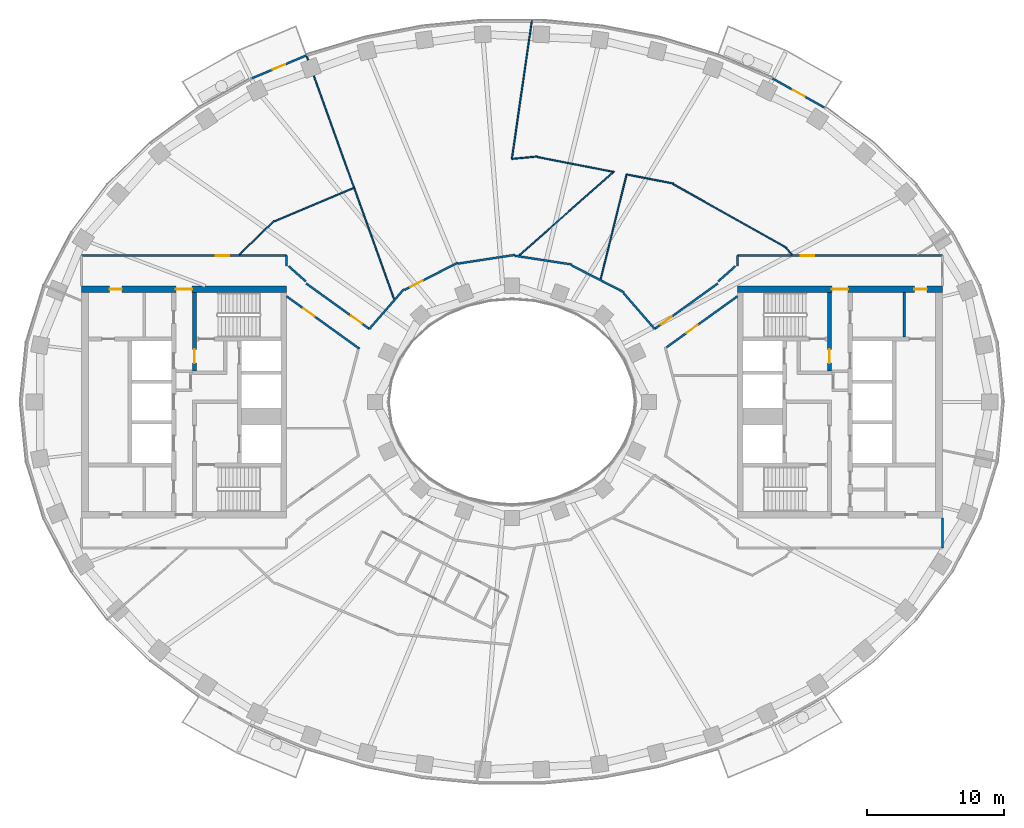
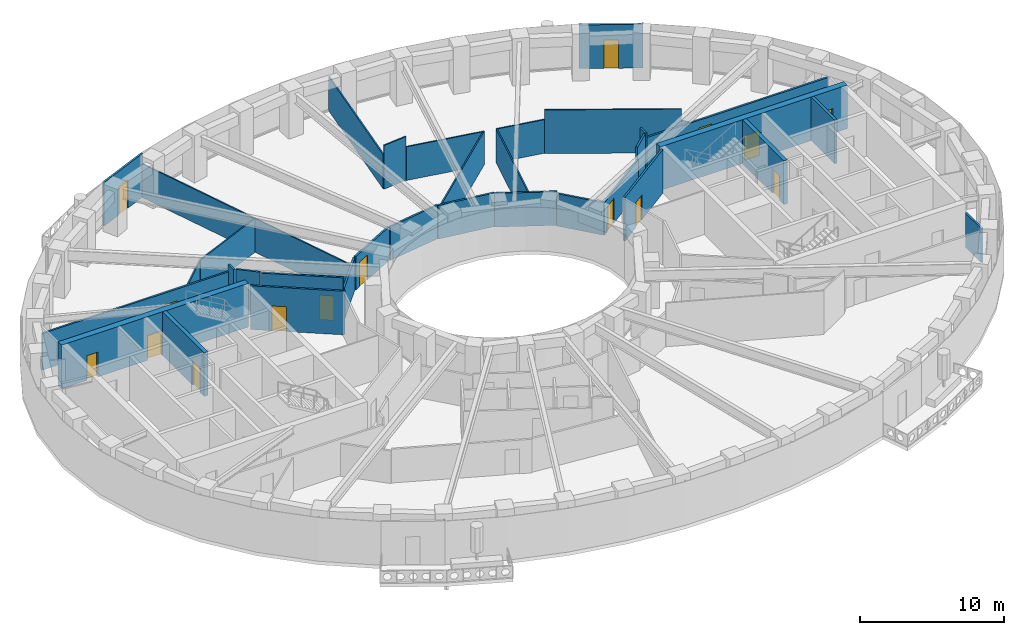
# One storey, part 6 of 15: 35 walls, 15 doors, 15 openings.
"""IFC4 building model written with IfcOpenShell, lengths in metres."""

from ifc_helpers import new_model, si_unit, direction, frame, frame_2d, origin, place, context, subcontext, project, spatial, rectangle, extrude, material, layer, layer_set, type_object, element, fill, save


model = new_model("IFC4")

# Units and contexts
model_context = context("Model", 3, precision=1e-05, world=origin(), true_north=direction((0.0, 1.0)))
body_context = subcontext(model_context, "Body", "Model", "MODEL_VIEW")
ifc_project = project(units=[si_unit("LENGTHUNIT", "METRE"), si_unit("AREAUNIT", "SQUARE_METRE"), si_unit("VOLUMEUNIT", "CUBIC_METRE"), si_unit("PLANEANGLEUNIT", "RADIAN"), si_unit("MASSUNIT", "GRAM", prefix="KILO")], contexts=[model_context])

# Site, building, storey
site_placement = place(None, origin())
site = spatial("IfcSite", under=ifc_project, at=site_placement, CompositionType="ELEMENT")
building_placement = place(site_placement, origin())
building = spatial("IfcBuilding", under=site, at=building_placement, Name="Noorbagh Ring Tower", CompositionType="ELEMENT")
storey_placement = place(building_placement, frame((0.0, 0.0, 170.0)))
storey = spatial("IfcBuildingStorey", under=building, at=storey_placement, Name="L39", CompositionType="ELEMENT", Elevation=170.0)

# Wall
ifc_material_1 = material(Name="Gypsum board on steel studs", Category="steel")
ifc_layer_1 = layer(ifc_material_1, 0.199951171875)
ifc_layer_set_1 = layer_set([ifc_layer_1], Name="Gypsum board on steel studs")
wall_type_1 = type_object("IfcWallType", Name="CORE-PARTITION-200", PredefinedType="PARTITIONING", material=ifc_layer_set_1)
wall_1_placement = place(storey_placement, frame((28.699951171875, 4.75, 0.0), z_axis=(0.0, 0.0, 1.0), x_axis=(0.0, 1.0, 0.0)))
element("IfcWall", 1, at=wall_1_placement, inside=storey, type_object=wall_type_1, Name="Core partition E", PredefinedType="PARTITIONING", context=body_context, shape_type="SweptSolid", body=[
    extrude(rectangle(XDim=3.25, YDim=0.199951171875, at=frame_2d((1.625, 0.0))), origin(), (0.0, 0.0, 1.0), 3.699951171875),
])

# Wall, opening, door
ifc_material_2 = material(Name="Concrete C60/75", Category="concrete")
ifc_layer_2 = layer(ifc_material_2, 0.300048828125)
ifc_layer_set_2 = layer_set([ifc_layer_2], Name="Concrete C60/75")
wall_type_2 = type_object("IfcWallType", Name="CORE-WALL-300-C60-75-EI240", PredefinedType="SHEAR", material=ifc_layer_set_2)
wall_2_placement = place(storey_placement, frame((-23.22998046875, 2.25, 0.0), z_axis=(0.0, 0.0, 1.0), x_axis=(0.0, 1.0, 0.0)))
wall_2 = element("IfcWall", 2, at=wall_2_placement, inside=storey, type_object=wall_type_2, Name="Core wall W", PredefinedType="SHEAR", context=body_context, shape_type="SweptSolid", body=[
    extrude(rectangle(XDim=5.75, YDim=0.300048828125, at=frame_2d((2.875, 0.0))), origin(), (0.0, 0.0, 1.0), 3.699951171875),
])
opening_1_placement = place(wall_2_placement, frame((0.60009765625, 0.0, 0.0)))
opening_1 = element("IfcOpeningElement", 3, at=opening_1_placement, cuts=wall_2, Name="Opening L39-CW09", PredefinedType="OPENING", context=body_context, shape_type="SweptSolid", body=[
    extrude(rectangle(XDim=1.0, YDim=2.10009765625, at=frame_2d((0.5, 1.050048828125))), frame((0.0, 0.16015625, 0.0), z_axis=(0.0, -1.0, 0.0), x_axis=(1.0, 0.0, 0.0)), (0.0, 0.0, 1.0), 0.320068359375),
])
ifc_material_3 = material(Name="Steel door leaf", Category="steel")
door_type_1 = type_object("IfcDoorType", Name="CORE-DOOR-DVEST", OperationType="SINGLE_SWING_LEFT", PredefinedType="DOOR", material=ifc_material_3)
door_1_placement = place(opening_1_placement, origin())
door_1 = element("IfcDoor", 4, at=door_1_placement, inside=storey, type_object=door_type_1, Name="Stair vestibule door L39-CW09", OperationType="SINGLE_SWING_LEFT", OverallHeight=2.10009765625, OverallWidth=1.0, PredefinedType="DOOR", context=body_context, shape_type="SweptSolid", body=[
    extrude(rectangle(XDim=1.0, YDim=2.10009765625, at=frame_2d((0.5, 1.050048828125))), frame((0.0, 0.02490234375, 0.0), z_axis=(0.0, -1.0, 0.0), x_axis=(1.0, 0.0, 0.0)), (0.0, 0.0, 1.0), 0.050048828125),
])
fill(opening_1, door_1)

wall_3_placement = place(storey_placement, frame((23.22998046875, 2.25, 0.0), z_axis=(0.0, 0.0, 1.0), x_axis=(0.0, 1.0, 0.0)))
wall_3 = element("IfcWall", 5, at=wall_3_placement, inside=storey, type_object=wall_type_2, Name="Core wall E", PredefinedType="SHEAR", context=body_context, shape_type="SweptSolid", body=[
    extrude(rectangle(XDim=5.75, YDim=0.300048828125, at=frame_2d((2.875, 0.0))), origin(), (0.0, 0.0, 1.0), 3.699951171875),
])
opening_2_placement = place(wall_3_placement, frame((0.60009765625, 0.0, 0.0)))
opening_2 = element("IfcOpeningElement", 6, at=opening_2_placement, cuts=wall_3, Name="Opening L39-CE10", PredefinedType="OPENING", context=body_context, shape_type="SweptSolid", body=[
    extrude(rectangle(XDim=1.0, YDim=2.10009765625, at=frame_2d((0.5, 1.050048828125))), frame((0.0, 0.16015625, 0.0), z_axis=(0.0, -1.0, 0.0), x_axis=(1.0, 0.0, 0.0)), (0.0, 0.0, 1.0), 0.320068359375),
])
door_2_placement = place(opening_2_placement, origin())
door_2 = element("IfcDoor", 7, at=door_2_placement, inside=storey, type_object=door_type_1, Name="Stair vestibule door L39-CE10", OperationType="SINGLE_SWING_RIGHT", OverallHeight=2.10009765625, OverallWidth=1.0, PredefinedType="DOOR", context=body_context, shape_type="SweptSolid", body=[
    extrude(rectangle(XDim=1.0, YDim=2.10009765625, at=frame_2d((0.5, 1.050048828125))), frame((0.0, 0.02490234375, 0.0), z_axis=(0.0, -1.0, 0.0), x_axis=(1.0, 0.0, 0.0)), (0.0, 0.0, 1.0), 0.050048828125),
])
fill(opening_2, door_2)

# Wall, openings, doors
ifc_material_4 = material(Name="Concrete C60/75", Category="concrete")
ifc_layer_3 = layer(ifc_material_4, 0.5)
ifc_layer_set_3 = layer_set([ifc_layer_3], Name="Concrete C60/75")
wall_type_3 = type_object("IfcWallType", Name="CORE-WALL-500-C60-75-EI240", PredefinedType="SHEAR", material=ifc_layer_set_3)
wall_4_placement = place(storey_placement, frame((-16.5, 8.25, 0.0), z_axis=(0.0, 0.0, 1.0), x_axis=(-1.0, 0.0, 0.0)))
wall_4 = element("IfcWall", 8, at=wall_4_placement, inside=storey, type_object=wall_type_3, Name="Core wall W", PredefinedType="SHEAR", context=body_context, shape_type="SweptSolid", body=[
    extrude(rectangle(XDim=15.0, YDim=0.5, at=frame_2d((7.5, 0.0))), origin(), (0.0, 0.0, 1.0), 3.699951171875),
])
opening_3_placement = place(wall_4_placement, frame((6.89990234375, 0.0, 0.0)))
opening_3 = element("IfcOpeningElement", 9, at=opening_3_placement, cuts=wall_4, Name="Opening L39-CW10", PredefinedType="OPENING", context=body_context, shape_type="SweptSolid", body=[
    extrude(rectangle(XDim=1.199951171875, YDim=2.10009765625, at=frame_2d((0.60009765625, 1.050048828125))), frame((0.0, 0.260009765625, 0.0), z_axis=(0.0, -1.0, 0.0), x_axis=(1.0, 0.0, 0.0)), (0.0, 0.0, 1.0), 0.52001953125),
])
opening_4_placement = place(wall_4_placement, frame((12.050048828125, 0.0, 0.0)))
opening_4 = element("IfcOpeningElement", 10, at=opening_4_placement, cuts=wall_4, Name="Opening L39-CW13", PredefinedType="OPENING", context=body_context, shape_type="SweptSolid", body=[
    extrude(rectangle(XDim=0.89990234375, YDim=2.10009765625, at=frame_2d((0.449951171875, 1.050048828125))), frame((0.0, 0.260009765625, 0.0), z_axis=(0.0, -1.0, 0.0), x_axis=(1.0, 0.0, 0.0)), (0.0, 0.0, 1.0), 0.52001953125),
])
ifc_material_5 = material(Name="Steel door leaf", Category="steel")
door_type_2 = type_object("IfcDoorType", Name="CORE-DOOR-DROOM", OperationType="SINGLE_SWING_LEFT", PredefinedType="DOOR", material=ifc_material_5)
door_3_placement = place(opening_4_placement, origin())
door_3 = element("IfcDoor", 11, at=door_3_placement, inside=storey, type_object=door_type_2, Name="Core room door L39-CW13", OperationType="SINGLE_SWING_RIGHT", OverallHeight=2.10009765625, OverallWidth=0.89990234375, PredefinedType="DOOR", context=body_context, shape_type="SweptSolid", body=[
    extrude(rectangle(XDim=0.89990234375, YDim=2.10009765625, at=frame_2d((0.449951171875, 1.050048828125))), frame((0.0, 0.02490234375, 0.0), z_axis=(0.0, -1.0, 0.0), x_axis=(1.0, 0.0, 0.0)), (0.0, 0.0, 1.0), 0.050048828125),
])
fill(opening_4, door_3)
ifc_material_6 = material(Name="Steel door leaf", Category="steel")
door_type_3 = type_object("IfcDoorType", Name="CORE-DOOR-PORT", OperationType="DOUBLE_DOOR_DOUBLE_SWING", PredefinedType="DOOR", material=ifc_material_6)
door_4_placement = place(opening_3_placement, origin())
door_4 = element("IfcDoor", 12, at=door_4_placement, inside=storey, type_object=door_type_3, Name="Core entrance door L39-CW10", OperationType="DOUBLE_DOOR_DOUBLE_SWING", OverallHeight=2.10009765625, OverallWidth=1.199951171875, PredefinedType="DOOR", context=body_context, shape_type="SweptSolid", body=[
    extrude(rectangle(XDim=1.199951171875, YDim=2.10009765625, at=frame_2d((0.60009765625, 1.050048828125))), frame((0.0, 0.02490234375, 0.0), z_axis=(0.0, -1.0, 0.0), x_axis=(1.0, 0.0, 0.0)), (0.0, 0.0, 1.0), 0.050048828125),
])
fill(opening_3, door_4)

wall_5_placement = place(storey_placement, frame((16.5, 8.25, 0.0), z_axis=(0.0, 0.0, 1.0), x_axis=(1.0, 0.0, 0.0)))
wall_5 = element("IfcWall", 13, at=wall_5_placement, inside=storey, type_object=wall_type_3, Name="Core wall E", PredefinedType="SHEAR", context=body_context, shape_type="SweptSolid", body=[
    extrude(rectangle(XDim=15.0, YDim=0.5, at=frame_2d((7.5, 0.0))), origin(), (0.0, 0.0, 1.0), 3.699951171875),
])
opening_5_placement = place(wall_5_placement, frame((6.89990234375, 0.0, 0.0)))
opening_5 = element("IfcOpeningElement", 14, at=opening_5_placement, cuts=wall_5, Name="Opening L39-CE11", PredefinedType="OPENING", context=body_context, shape_type="SweptSolid", body=[
    extrude(rectangle(XDim=1.199951171875, YDim=2.10009765625, at=frame_2d((0.60009765625, 1.050048828125))), frame((0.0, 0.260009765625, 0.0), z_axis=(0.0, -1.0, 0.0), x_axis=(1.0, 0.0, 0.0)), (0.0, 0.0, 1.0), 0.52001953125),
])
opening_6_placement = place(wall_5_placement, frame((12.949951171875, 0.0, 0.0)))
opening_6 = element("IfcOpeningElement", 15, at=opening_6_placement, cuts=wall_5, Name="Opening L39-CE14", PredefinedType="OPENING", context=body_context, shape_type="SweptSolid", body=[
    extrude(rectangle(XDim=0.89990234375, YDim=2.10009765625, at=frame_2d((0.449951171875, 1.050048828125))), frame((0.0, 0.260009765625, 0.0), z_axis=(0.0, -1.0, 0.0), x_axis=(1.0, 0.0, 0.0)), (0.0, 0.0, 1.0), 0.52001953125),
])
door_5_placement = place(opening_6_placement, origin())
door_5 = element("IfcDoor", 16, at=door_5_placement, inside=storey, type_object=door_type_2, Name="Core room door L39-CE14", OperationType="SINGLE_SWING_LEFT", OverallHeight=2.10009765625, OverallWidth=0.89990234375, PredefinedType="DOOR", context=body_context, shape_type="SweptSolid", body=[
    extrude(rectangle(XDim=0.89990234375, YDim=2.10009765625, at=frame_2d((0.449951171875, 1.050048828125))), frame((0.0, 0.02490234375, 0.0), z_axis=(0.0, -1.0, 0.0), x_axis=(1.0, 0.0, 0.0)), (0.0, 0.0, 1.0), 0.050048828125),
])
fill(opening_6, door_5)
door_6_placement = place(opening_5_placement, origin())
door_6 = element("IfcDoor", 17, at=door_6_placement, inside=storey, type_object=door_type_3, Name="Core entrance door L39-CE11", OperationType="DOUBLE_DOOR_DOUBLE_SWING", OverallHeight=2.10009765625, OverallWidth=1.199951171875, PredefinedType="DOOR", context=body_context, shape_type="SweptSolid", body=[
    extrude(rectangle(XDim=1.199951171875, YDim=2.10009765625, at=frame_2d((0.60009765625, 1.050048828125))), frame((0.0, 0.02490234375, 0.0), z_axis=(0.0, -1.0, 0.0), x_axis=(1.0, 0.0, 0.0)), (0.0, 0.0, 1.0), 0.050048828125),
])
fill(opening_5, door_6)

# Wall, opening, door
ifc_material_7 = material(Name="Gypsum board on steel studs", Category="steel")
ifc_layer_4 = layer(ifc_material_7, 0.14990234375)
ifc_layer_set_4 = layer_set([ifc_layer_4], Name="Gypsum board on steel studs")
wall_type_4 = type_object("IfcWallType", Name="CORRIDOR PARTITION 150 EI 30", PredefinedType="PARTITIONING", material=ifc_layer_set_4)
wall_6_placement = place(storey_placement, frame((-31.5, 10.699951171875, 0.0), z_axis=(0.0, 0.0, 1.0), x_axis=(1.0, 0.0, 0.0)))
wall_6 = element("IfcWall", 18, at=wall_6_placement, inside=storey, type_object=wall_type_4, Name="L39/wall/P05", PredefinedType="PARTITIONING", context=body_context, shape_type="SweptSolid", body=[
    extrude(rectangle(XDim=15.0, YDim=0.14990234375, at=frame_2d((7.5, 0.0))), origin(), (0.0, 0.0, 1.0), 3.10009765625),
])
opening_7_placement = place(wall_6_placement, frame((9.819091796875, 0.0, 0.0)))
opening_7 = element("IfcOpeningElement", 19, at=opening_7_placement, cuts=wall_6, Name="Opening D1", PredefinedType="OPENING", context=body_context, shape_type="SweptSolid", body=[
    extrude(rectangle(XDim=1.0, YDim=2.10009765625, at=frame_2d((0.5, 1.050048828125))), frame((0.0, 0.0849609375, 0.0), z_axis=(0.0, -1.0, 0.0), x_axis=(1.0, 0.0, 0.0)), (0.0, 0.0, 1.0), 0.169921875),
])
ifc_material_8 = material(Name="Timber, painted", Category="wood")
door_type_4 = type_object("IfcDoorType", Name="DOOR 1000 X 2100 FD30", OperationType="SINGLE_SWING_LEFT", PredefinedType="DOOR", material=ifc_material_8)
door_7_placement = place(opening_7_placement, origin())
door_7 = element("IfcDoor", 20, at=door_7_placement, inside=storey, type_object=door_type_4, Name="L39-D07", OperationType="SINGLE_SWING_LEFT", OverallHeight=2.10009765625, OverallWidth=1.0, PredefinedType="DOOR", context=body_context, shape_type="SweptSolid", body=[
    extrude(rectangle(XDim=1.0, YDim=2.10009765625, at=frame_2d((0.5, 1.050048828125))), frame((0.0, 0.02490234375, 0.0), z_axis=(0.0, -1.0, 0.0), x_axis=(1.0, 0.0, 0.0)), (0.0, 0.0, 1.0), 0.050048828125),
])
fill(opening_7, door_7)

# Wall
wall_7_placement = place(storey_placement, frame((-16.5, 9.964111328125, 0.0), z_axis=(0.0, 0.0, 1.0), x_axis=(0.0, 1.0, 0.0)))
element("IfcWall", 21, at=wall_7_placement, inside=storey, type_object=wall_type_4, Name="L39/wall/P13", PredefinedType="PARTITIONING", context=body_context, shape_type="SweptSolid", body=[
    extrude(rectangle(XDim=0.73583984375, YDim=0.14990234375, at=frame_2d((0.367919921875, 0.0))), origin(), (0.0, 0.0, 1.0), 3.699951171875),
])

# Wall, opening, door
wall_8_placement = place(storey_placement, frame((-16.5, 7.735107421875, 0.0), z_axis=(0.0, 0.0, 1.0), x_axis=(0.811616692984, -0.584190331715, 0.0)))
wall_8 = element("IfcWall", 22, at=wall_8_placement, inside=storey, type_object=wall_type_4, Name="L39/wall/P15", PredefinedType="PARTITIONING", context=body_context, shape_type="SweptSolid", body=[
    extrude(rectangle(XDim=6.578369140625, YDim=0.14990234375, at=frame_2d((3.2890625, 0.0))), origin(), (0.0, 0.0, 1.0), 3.699951171875),
])
opening_8_placement = place(wall_8_placement, frame((1.514892578125, 0.0, 0.0)))
opening_8 = element("IfcOpeningElement", 23, at=opening_8_placement, cuts=wall_8, Name="Opening D1", PredefinedType="OPENING", context=body_context, shape_type="SweptSolid", body=[
    extrude(rectangle(XDim=1.0, YDim=2.10009765625, at=frame_2d((0.5, 1.050048828125))), frame((0.0, 0.0849609375, 0.0), z_axis=(0.0, -1.0, 0.0), x_axis=(1.0, 0.0, 0.0)), (0.0, 0.0, 1.0), 0.169921875),
])
door_8_placement = place(opening_8_placement, origin())
door_8 = element("IfcDoor", 24, at=door_8_placement, inside=storey, type_object=door_type_4, Name="L39-D17", OperationType="SINGLE_SWING_LEFT", OverallHeight=2.10009765625, OverallWidth=1.0, PredefinedType="DOOR", context=body_context, shape_type="SweptSolid", body=[
    extrude(rectangle(XDim=1.0, YDim=2.10009765625, at=frame_2d((0.5, 1.050048828125))), frame((0.0, 0.02490234375, 0.0), z_axis=(0.0, -1.0, 0.0), x_axis=(1.0, 0.0, 0.0)), (0.0, 0.0, 1.0), 0.050048828125),
])
fill(opening_8, door_8)

wall_9_placement = place(storey_placement, frame((-15.06103515625, 8.6708984375, 0.0), z_axis=(0.0, 0.0, 1.0), x_axis=(0.811697765448, -0.584077681106, 0.0)))
wall_9 = element("IfcWall", 25, at=wall_9_placement, inside=storey, type_object=wall_type_4, Name="L39/wall/P17", PredefinedType="PARTITIONING", context=body_context, shape_type="SweptSolid", body=[
    extrude(rectangle(XDim=5.6943359375, YDim=0.14990234375, at=frame_2d((2.84716796875, 0.0))), origin(), (0.0, 0.0, 1.0), 3.699951171875),
])
opening_9_placement = place(wall_9_placement, frame((4.044189453125, 0.0, 0.0)))
opening_9 = element("IfcOpeningElement", 26, at=opening_9_placement, cuts=wall_9, Name="Opening D1", PredefinedType="OPENING", context=body_context, shape_type="SweptSolid", body=[
    extrude(rectangle(XDim=1.0, YDim=2.10009765625, at=frame_2d((0.5, 1.050048828125))), frame((0.0, 0.0849609375, 0.0), z_axis=(0.0, -1.0, 0.0), x_axis=(1.0, 0.0, 0.0)), (0.0, 0.0, 1.0), 0.169921875),
])
door_9_placement = place(opening_9_placement, origin())
door_9 = element("IfcDoor", 27, at=door_9_placement, inside=storey, type_object=door_type_4, Name="L39-D09", OperationType="SINGLE_SWING_LEFT", OverallHeight=2.10009765625, OverallWidth=1.0, PredefinedType="DOOR", context=body_context, shape_type="SweptSolid", body=[
    extrude(rectangle(XDim=1.0, YDim=2.10009765625, at=frame_2d((0.5, 1.050048828125))), frame((0.0, 0.02490234375, 0.0), z_axis=(0.0, -1.0, 0.0), x_axis=(1.0, 0.0, 0.0)), (0.0, 0.0, 1.0), 0.050048828125),
])
fill(opening_9, door_9)

# Wall
wall_10_placement = place(storey_placement, frame((-10.43896484375, 5.344970703125, 0.0), z_axis=(0.0, 0.0, 1.0), x_axis=(0.656405809938, 0.754407988213, 0.0)))
element("IfcWall", 28, at=wall_10_placement, inside=storey, type_object=wall_type_4, Name="L39/wall/P24", PredefinedType="PARTITIONING", context=body_context, shape_type="SweptSolid", body=[
    extrude(rectangle(XDim=3.85888671875, YDim=0.14990234375, at=frame_2d((1.929443359375, 0.0))), origin(), (0.0, 0.0, 1.0), 2.75),
])

# Wall, opening, door
wall_11_placement = place(storey_placement, frame((-7.85888671875, 8.196044921875, 0.0), z_axis=(0.0, 0.0, 1.0), x_axis=(0.889405670308, 0.457118752213, 0.0)))
wall_11 = element("IfcWall", 29, at=wall_11_placement, inside=storey, type_object=wall_type_4, Name="L39/wall/P28", PredefinedType="PARTITIONING", context=body_context, shape_type="SweptSolid", body=[
    extrude(rectangle(XDim=4.35546875, YDim=0.14990234375, at=frame_2d((2.177734375, 0.0))), origin(), (0.0, 0.0, 1.0), 2.85009765625),
])
opening_10_placement = place(wall_11_placement, frame((0.490966796875, 0.0, 0.0)))
opening_10 = element("IfcOpeningElement", 30, at=opening_10_placement, cuts=wall_11, Name="Opening D1", PredefinedType="OPENING", context=body_context, shape_type="SweptSolid", body=[
    extrude(rectangle(XDim=1.0, YDim=2.10009765625, at=frame_2d((0.5, 1.050048828125))), frame((0.0, 0.0849609375, 0.0), z_axis=(0.0, -1.0, 0.0), x_axis=(1.0, 0.0, 0.0)), (0.0, 0.0, 1.0), 0.169921875),
])
door_10_placement = place(opening_10_placement, origin())
door_10 = element("IfcDoor", 31, at=door_10_placement, inside=storey, type_object=door_type_4, Name="L39-D10", OperationType="SINGLE_SWING_RIGHT", OverallHeight=2.10009765625, OverallWidth=1.0, PredefinedType="DOOR", context=body_context, shape_type="SweptSolid", body=[
    extrude(rectangle(XDim=1.0, YDim=2.10009765625, at=frame_2d((0.5, 1.050048828125))), frame((0.0, 0.02490234375, 0.0), z_axis=(0.0, -1.0, 0.0), x_axis=(1.0, 0.0, 0.0)), (0.0, 0.0, 1.0), 0.050048828125),
])
fill(opening_10, door_10)

# Walls
for number, where, z_axis, x_axis, name in (
    (32, (-3.964111328125, 10.12109375, 0.0), (0.0, 0.0, 1.0), (0.988463044045, 0.151462241359, 0.0), "L39/wall/P32"),
    (33, (0.2119140625, 10.697021484375, 0.0), (0.0, 0.0, 1.0), (0.988454390794, -0.151518702874, 0.0), "L39/wall/P42"),
):
    element("IfcWall", number, at=place(storey_placement, frame(where, z_axis=z_axis, x_axis=x_axis)), inside=storey, type_object=wall_type_4, Name=name, PredefinedType="PARTITIONING", context=body_context, shape_type="SweptSolid", body=[
        extrude(rectangle(XDim=4.224853515625, YDim=0.14990234375, at=frame_2d((2.1123046875, 0.0))), origin(), (0.0, 0.0, 1.0), 2.85009765625),
    ])
wall_12_placement = place(storey_placement, frame((4.366943359375, 9.990966796875, 0.0), z_axis=(0.0, 0.0, 1.0), x_axis=(0.889480321924, -0.456973475061, 0.0)))
element("IfcWall", 34, at=wall_12_placement, inside=storey, type_object=wall_type_4, Name="L39/wall/P46", PredefinedType="PARTITIONING", context=body_context, shape_type="SweptSolid", body=[
    extrude(rectangle(XDim=4.33056640625, YDim=0.14990234375, at=frame_2d((2.165283203125, 0.0))), origin(), (0.0, 0.0, 1.0), 2.85009765625),
])
wall_13_placement = place(storey_placement, frame((8.172119140625, 7.951904296875, 0.0), z_axis=(0.0, 0.0, 1.0), x_axis=(0.656169966724, -0.754613129206, 0.0)))
element("IfcWall", 35, at=wall_13_placement, inside=storey, type_object=wall_type_4, Name="L39/wall/P50", PredefinedType="PARTITIONING", context=body_context, shape_type="SweptSolid", body=[
    extrude(rectangle(XDim=3.45458984375, YDim=0.14990234375, at=frame_2d((1.727294921875, 0.0))), origin(), (0.0, 0.0, 1.0), 2.75),
])

# Wall, opening, door
wall_14_placement = place(storey_placement, frame((10.43896484375, 5.344970703125, 0.0), z_axis=(0.0, 0.0, 1.0), x_axis=(0.811697765448, 0.584077681106, 0.0)))
wall_14 = element("IfcWall", 36, at=wall_14_placement, inside=storey, type_object=wall_type_4, Name="L39/wall/P53", PredefinedType="PARTITIONING", context=body_context, shape_type="SweptSolid", body=[
    extrude(rectangle(XDim=5.6943359375, YDim=0.14990234375, at=frame_2d((2.84716796875, 0.0))), origin(), (0.0, 0.0, 1.0), 2.75),
])
opening_11_placement = place(wall_14_placement, frame((0.544189453125, 0.0, 0.0)))
opening_11 = element("IfcOpeningElement", 37, at=opening_11_placement, cuts=wall_14, Name="Opening D1", PredefinedType="OPENING", context=body_context, shape_type="SweptSolid", body=[
    extrude(rectangle(XDim=1.0, YDim=2.10009765625, at=frame_2d((0.5, 1.050048828125))), frame((0.0, 0.0849609375, 0.0), z_axis=(0.0, -1.0, 0.0), x_axis=(1.0, 0.0, 0.0)), (0.0, 0.0, 1.0), 0.169921875),
])
door_11_placement = place(opening_11_placement, origin())
door_11 = element("IfcDoor", 38, at=door_11_placement, inside=storey, type_object=door_type_4, Name="L39-D12", OperationType="SINGLE_SWING_RIGHT", OverallHeight=2.10009765625, OverallWidth=1.0, PredefinedType="DOOR", context=body_context, shape_type="SweptSolid", body=[
    extrude(rectangle(XDim=1.0, YDim=2.10009765625, at=frame_2d((0.5, 1.050048828125))), frame((0.0, 0.02490234375, 0.0), z_axis=(0.0, -1.0, 0.0), x_axis=(1.0, 0.0, 0.0)), (0.0, 0.0, 1.0), 0.050048828125),
])
fill(opening_11, door_11)

wall_15_placement = place(storey_placement, frame((11.291015625, 3.986083984375, 0.0), z_axis=(0.0, 0.0, 1.0), x_axis=(0.81164111506, 0.584156400584, 0.0)))
wall_15 = element("IfcWall", 39, at=wall_15_placement, inside=storey, type_object=wall_type_4, Name="L39/wall/P57", PredefinedType="PARTITIONING", context=body_context, shape_type="SweptSolid", body=[
    extrude(rectangle(XDim=6.417724609375, YDim=0.14990234375, at=frame_2d((3.208984375, 0.0))), origin(), (0.0, 0.0, 1.0), 3.699951171875),
])
opening_12_placement = place(wall_15_placement, frame((1.81982421875, 0.0, 0.0)))
opening_12 = element("IfcOpeningElement", 40, at=opening_12_placement, cuts=wall_15, Name="Opening D1", PredefinedType="OPENING", context=body_context, shape_type="SweptSolid", body=[
    extrude(rectangle(XDim=1.0, YDim=2.10009765625, at=frame_2d((0.5, 1.050048828125))), frame((0.0, 0.0849609375, 0.0), z_axis=(0.0, -1.0, 0.0), x_axis=(1.0, 0.0, 0.0)), (0.0, 0.0, 1.0), 0.169921875),
])
door_12_placement = place(opening_12_placement, origin())
door_12 = element("IfcDoor", 41, at=door_12_placement, inside=storey, type_object=door_type_4, Name="L39-D19", OperationType="SINGLE_SWING_LEFT", OverallHeight=2.10009765625, OverallWidth=1.0, PredefinedType="DOOR", context=body_context, shape_type="SweptSolid", body=[
    extrude(rectangle(XDim=1.0, YDim=2.10009765625, at=frame_2d((0.5, 1.050048828125))), frame((0.0, 0.02490234375, 0.0), z_axis=(0.0, -1.0, 0.0), x_axis=(1.0, 0.0, 0.0)), (0.0, 0.0, 1.0), 0.050048828125),
])
fill(opening_12, door_12)

# Wall
wall_16_placement = place(storey_placement, frame((16.5, 9.964111328125, 0.0), z_axis=(0.0, 0.0, 1.0), x_axis=(0.0, 1.0, 0.0)))
element("IfcWall", 42, at=wall_16_placement, inside=storey, type_object=wall_type_4, Name="L39/wall/P62", PredefinedType="PARTITIONING", context=body_context, shape_type="SweptSolid", body=[
    extrude(rectangle(XDim=0.73583984375, YDim=0.14990234375, at=frame_2d((0.367919921875, 0.0))), origin(), (0.0, 0.0, 1.0), 3.699951171875),
])

# Wall, opening, door
wall_17_placement = place(storey_placement, frame((16.5, 10.699951171875, 0.0), z_axis=(0.0, 0.0, 1.0), x_axis=(1.0, 0.0, 0.0)))
wall_17 = element("IfcWall", 43, at=wall_17_placement, inside=storey, type_object=wall_type_4, Name="L39/wall/P63", PredefinedType="PARTITIONING", context=body_context, shape_type="SweptSolid", body=[
    extrude(rectangle(XDim=15.0, YDim=0.14990234375, at=frame_2d((7.5, 0.0))), origin(), (0.0, 0.0, 1.0), 2.75),
])
opening_13_placement = place(wall_17_placement, frame((4.62109375, 0.0, 0.0)))
opening_13 = element("IfcOpeningElement", 44, at=opening_13_placement, cuts=wall_17, Name="Opening D1", PredefinedType="OPENING", context=body_context, shape_type="SweptSolid", body=[
    extrude(rectangle(XDim=1.0, YDim=2.10009765625, at=frame_2d((0.5, 1.050048828125))), frame((0.0, 0.0849609375, 0.0), z_axis=(0.0, -1.0, 0.0), x_axis=(1.0, 0.0, 0.0)), (0.0, 0.0, 1.0), 0.169921875),
])
door_13_placement = place(opening_13_placement, origin())
door_13 = element("IfcDoor", 45, at=door_13_placement, inside=storey, type_object=door_type_4, Name="L39-D14", OperationType="SINGLE_SWING_RIGHT", OverallHeight=2.10009765625, OverallWidth=1.0, PredefinedType="DOOR", context=body_context, shape_type="SweptSolid", body=[
    extrude(rectangle(XDim=1.0, YDim=2.10009765625, at=frame_2d((0.5, 1.050048828125))), frame((0.0, 0.02490234375, 0.0), z_axis=(0.0, -1.0, 0.0), x_axis=(1.0, 0.0, 0.0)), (0.0, 0.0, 1.0), 0.050048828125),
])
fill(opening_13, door_13)

# Walls
wall_18_placement = place(storey_placement, frame((31.5, -10.699951171875, 0.0), z_axis=(0.0, 0.0, 1.0), x_axis=(0.0, 1.0, 0.0)))
element("IfcWall", 46, at=wall_18_placement, inside=storey, type_object=wall_type_4, Name="L39/wall/P68", PredefinedType="PARTITIONING", context=body_context, shape_type="SweptSolid", body=[
    extrude(rectangle(XDim=2.199951171875, YDim=0.14990234375, at=frame_2d((1.10009765625, 0.0))), origin(), (0.0, 0.0, 1.0), 2.89990234375),
])
for number, where, z_axis, x_axis, name in (
    (47, (-16.35205078125, 9.94189453125, 0.0), (0.0, 0.0, 1.0), (0.747926695066, -0.663781333579, 0.0), "L39/wall/P72"),
    (48, (15.0869140625, 8.819091796875, 0.0), (0.0, 0.0, 1.0), (0.747926695066, 0.663781333579, 0.0), "L39/wall/P74"),
):
    element("IfcWall", number, at=place(storey_placement, frame(where, z_axis=z_axis, x_axis=x_axis)), inside=storey, type_object=wall_type_4, Name=name, PredefinedType="PARTITIONING", context=body_context, shape_type="SweptSolid", body=[
        extrude(rectangle(XDim=1.69140625, YDim=0.14990234375, at=frame_2d((0.845703125, 0.0))), origin(), (0.0, 0.0, 1.0), 3.699951171875),
    ])

# Wall, opening, door
ifc_material_9 = material(Name="Insulated aluminium clad panel", Category="aluminium")
ifc_layer_5 = layer(ifc_material_9, 0.14990234375)
ifc_layer_set_5 = layer_set([ifc_layer_5], Name="Insulated aluminium clad panel")
wall_type_5 = type_object("IfcWallType", Name="ENV-WALL-DOOR", PredefinedType="STANDARD", material=ifc_layer_set_5)
wall_19_placement = place(storey_placement, frame((22.913330078125, 21.508544921875, 0.0), z_axis=(0.0, 0.0, 1.0), x_axis=(-0.872046572975, 0.489422899509, 0.0)))
wall_19 = element("IfcWall", 49, at=wall_19_placement, inside=storey, type_object=wall_type_5, Name="Balcony door wall chord 07", PredefinedType="STANDARD", context=body_context, shape_type="SweptSolid", body=[
    extrude(rectangle(XDim=4.425537109375, YDim=0.14990234375, at=frame_2d((2.212890625, 0.0))), origin(), (0.0, 0.0, 1.0), 3.699951171875),
])
opening_14_placement = place(wall_19_placement, frame((1.712646484375, 0.0, 0.0)))
opening_14 = element("IfcOpeningElement", 50, at=opening_14_placement, cuts=wall_19, Name="Opening D-BL", PredefinedType="OPENING", context=body_context, shape_type="SweptSolid", body=[
    extrude(rectangle(XDim=1.0, YDim=2.39990234375, at=frame_2d((0.5, 1.199951171875))), frame((0.0, 0.0849609375, 0.0), z_axis=(0.0, -1.0, 0.0), x_axis=(1.0, 0.0, 0.0)), (0.0, 0.0, 1.0), 0.169921875),
])
ifc_material_10 = material(Name="Aluminium and glass", Category="aluminium")
door_type_5 = type_object("IfcDoorType", Name="ENV-DOOR-BALCONY", OperationType="SINGLE_SWING_LEFT", PredefinedType="DOOR", material=ifc_material_10)
door_14_placement = place(opening_14_placement, origin())
door_14 = element("IfcDoor", 51, at=door_14_placement, inside=storey, type_object=door_type_5, Name="Balcony door chord 07", OperationType="SINGLE_SWING_RIGHT", OverallHeight=2.39990234375, OverallWidth=1.0, PredefinedType="DOOR", context=body_context, shape_type="SweptSolid", body=[
    extrude(rectangle(XDim=1.0, YDim=2.39990234375, at=frame_2d((0.5, 1.199951171875))), frame((0.0, 0.02490234375, 0.0), z_axis=(0.0, -1.0, 0.0), x_axis=(1.0, 0.0, 0.0)), (0.0, 0.0, 1.0), 0.050048828125),
])
fill(opening_14, door_14)

wall_20_placement = place(storey_placement, frame((-15.017822265625, 25.368896484375, 0.0), z_axis=(0.0, 0.0, 1.0), x_axis=(-0.921816985161, -0.387625393736, 0.0)))
wall_20 = element("IfcWall", 52, at=wall_20_placement, inside=storey, type_object=wall_type_5, Name="Balcony door wall chord 16", PredefinedType="STANDARD", context=body_context, shape_type="SweptSolid", body=[
    extrude(rectangle(XDim=4.42578125, YDim=0.14990234375, at=frame_2d((2.212890625, 0.0))), origin(), (0.0, 0.0, 1.0), 3.699951171875),
])
opening_15_placement = place(wall_20_placement, frame((1.712890625, 0.0, 0.0)))
opening_15 = element("IfcOpeningElement", 53, at=opening_15_placement, cuts=wall_20, Name="Opening D-BL", PredefinedType="OPENING", context=body_context, shape_type="SweptSolid", body=[
    extrude(rectangle(XDim=1.0, YDim=2.39990234375, at=frame_2d((0.5, 1.199951171875))), frame((0.0, 0.0849609375, 0.0), z_axis=(0.0, -1.0, 0.0), x_axis=(1.0, 0.0, 0.0)), (0.0, 0.0, 1.0), 0.169921875),
])
door_15_placement = place(opening_15_placement, origin())
door_15 = element("IfcDoor", 54, at=door_15_placement, inside=storey, type_object=door_type_5, Name="Balcony door chord 16", OperationType="SINGLE_SWING_RIGHT", OverallHeight=2.39990234375, OverallWidth=1.0, PredefinedType="DOOR", context=body_context, shape_type="SweptSolid", body=[
    extrude(rectangle(XDim=1.0, YDim=2.39990234375, at=frame_2d((0.5, 1.199951171875))), frame((0.0, 0.02490234375, 0.0), z_axis=(0.0, -1.0, 0.0), x_axis=(1.0, 0.0, 0.0)), (0.0, 0.0, 1.0), 0.050048828125),
])
fill(opening_15, door_15)

# Walls
ifc_material_11 = material(Name="Gypsum board on steel studs", Category="steel")
ifc_layer_6 = layer(ifc_material_11, 0.10009765625)
ifc_layer_set_6 = layer_set([ifc_layer_6], Name="Gypsum board on steel studs")
wall_type_6 = type_object("IfcWallType", Name="PARTITION 100 GYPSUM", PredefinedType="PARTITIONING", material=ifc_layer_set_6)
wall_21_placement = place(storey_placement, frame((-19.95703125, 10.778076171875, 0.0), z_axis=(0.0, 0.0, 1.0), x_axis=(0.717304806733, 0.696759509614, 0.0)))
element("IfcWall", 55, at=wall_21_placement, inside=storey, type_object=wall_type_6, Name="L39/wall/P08", PredefinedType="PARTITIONING", context=body_context, shape_type="SweptSolid", body=[
    extrude(rectangle(XDim=3.56494140625, YDim=0.10009765625, at=frame_2d((1.782470703125, 0.0))), origin(), (0.0, 0.0, 1.0), 2.75),
])
wall_22_placement = place(storey_placement, frame((-17.3720703125, 13.218994140625, 0.0), z_axis=(0.0, 0.0, 1.0), x_axis=(0.921428289763, 0.38854846136, 0.0)))
element("IfcWall", 56, at=wall_22_placement, inside=storey, type_object=wall_type_6, Name="L39/wall/P10", PredefinedType="PARTITIONING", context=body_context, shape_type="SweptSolid", body=[
    extrude(rectangle(XDim=6.261962890625, YDim=0.10009765625, at=frame_2d((3.130859375, 0.0))), origin(), (0.0, 0.0, 1.0), 2.85009765625),
])
wall_23_placement = place(storey_placement, frame((-15.048095703125, 25.383056640625, 0.0), z_axis=(0.0, 0.0, 1.0), x_axis=(0.33832146485, -0.941030598026, 0.0)))
element("IfcWall", 57, at=wall_23_placement, inside=storey, type_object=wall_type_6, Name="L39/wall/P18", PredefinedType="PARTITIONING", context=body_context, shape_type="SweptSolid", body=[
    extrude(rectangle(XDim=18.96435546875, YDim=0.10009765625, at=frame_2d((9.482177734375, 0.0))), origin(), (0.0, 0.0, 1.0), 2.85009765625),
])
wall_24_placement = place(storey_placement, frame((-0.009033203125, 17.782958984375, 0.0), z_axis=(0.0, 0.0, 1.0), x_axis=(0.143003679494, 0.989722156795, 0.0)))
element("IfcWall", 58, at=wall_24_placement, inside=storey, type_object=wall_type_6, Name="L39/wall/P39", PredefinedType="PARTITIONING", context=body_context, shape_type="SweptSolid", body=[
    extrude(rectangle(XDim=10.216064453125, YDim=0.10009765625, at=frame_2d((5.10791015625, 0.0))), origin(), (0.0, 0.0, 1.0), 2.89990234375),
])
wall_25_placement = place(storey_placement, frame((-0.009033203125, 17.782958984375, 0.0), z_axis=(0.0, 0.0, 1.0), x_axis=(0.99544210385, 0.095367803179, 0.0)))
element("IfcWall", 59, at=wall_25_placement, inside=storey, type_object=wall_type_6, Name="L39/wall/P40", PredefinedType="PARTITIONING", context=body_context, shape_type="SweptSolid", body=[
    extrude(rectangle(XDim=1.87646484375, YDim=0.10009765625, at=frame_2d((0.938232421875, 0.0))), origin(), (0.0, 0.0, 1.0), 3.699951171875),
])
wall_26_placement = place(storey_placement, frame((0.52587890625, 10.72509765625, 0.0), z_axis=(0.0, 0.0, 1.0), x_axis=(0.749086896245, 0.662471751755, 0.0)))
element("IfcWall", 60, at=wall_26_placement, inside=storey, type_object=wall_type_6, Name="L39/wall/P43", PredefinedType="PARTITIONING", context=body_context, shape_type="SweptSolid", body=[
    extrude(rectangle(XDim=9.28466796875, YDim=0.10009765625, at=frame_2d((4.642333984375, 0.0))), origin(), (0.0, 0.0, 1.0), 2.85009765625),
])
wall_27_placement = place(storey_placement, frame((1.85693359375, 17.9208984375, 0.0), z_axis=(0.0, 0.0, 1.0), x_axis=(0.981529813142, -0.191309241579, 0.0)))
element("IfcWall", 61, at=wall_27_placement, inside=storey, type_object=wall_type_6, Name="L39/wall/P44", PredefinedType="PARTITIONING", context=body_context, shape_type="SweptSolid", body=[
    extrude(rectangle(XDim=5.618896484375, YDim=0.10009765625, at=frame_2d((2.8095703125, 0.0))), origin(), (0.0, 0.0, 1.0), 2.85009765625),
])
wall_28_placement = place(storey_placement, frame((6.490966796875, 8.988037109375, 0.0), z_axis=(0.0, 0.0, 1.0), x_axis=(0.239892267022, 0.970799515978, 0.0)))
element("IfcWall", 62, at=wall_28_placement, inside=storey, type_object=wall_type_6, Name="L39/wall/P47", PredefinedType="PARTITIONING", context=body_context, shape_type="SweptSolid", body=[
    extrude(rectangle(XDim=7.891357421875, YDim=0.10009765625, at=frame_2d((3.94580078125, 0.0))), origin(), (0.0, 0.0, 1.0), 2.85009765625),
])
wall_29_placement = place(storey_placement, frame((8.384033203125, 16.64892578125, 0.0), z_axis=(0.0, 0.0, 1.0), x_axis=(0.981537925875, -0.191267613747, 0.0)))
element("IfcWall", 63, at=wall_29_placement, inside=storey, type_object=wall_type_6, Name="L39/wall/P51", PredefinedType="PARTITIONING", context=body_context, shape_type="SweptSolid", body=[
    extrude(rectangle(XDim=3.497314453125, YDim=0.10009765625, at=frame_2d((1.74853515625, 0.0))), origin(), (0.0, 0.0, 1.0), 2.85009765625),
])
wall_30_placement = place(storey_placement, frame((11.802001953125, 15.93701171875, 0.0), z_axis=(0.0, 0.0, 1.0), x_axis=(0.871652836429, -0.490123793286, 0.0)))
element("IfcWall", 64, at=wall_30_placement, inside=storey, type_object=wall_type_6, Name="L39/wall/P58", PredefinedType="PARTITIONING", context=body_context, shape_type="SweptSolid", body=[
    extrude(rectangle(XDim=9.530029296875, YDim=0.10009765625, at=frame_2d((4.76513671875, 0.0))), origin(), (0.0, 0.0, 1.0), 3.699951171875),
])
wall_31_placement = place(storey_placement, frame((20.0791015625, 11.22900390625, 0.0), z_axis=(0.0, 0.0, 1.0), x_axis=(0.663614598559, -0.748074638375, 0.0)))
element("IfcWall", 65, at=wall_31_placement, inside=storey, type_object=wall_type_6, Name="L39/wall/P66", PredefinedType="PARTITIONING", context=body_context, shape_type="SweptSolid", body=[
    extrude(rectangle(XDim=0.60693359375, YDim=0.10009765625, at=frame_2d((0.303466796875, 0.0))), origin(), (0.0, 0.0, 1.0), 2.75),
])

save(model, "model.ifc")
